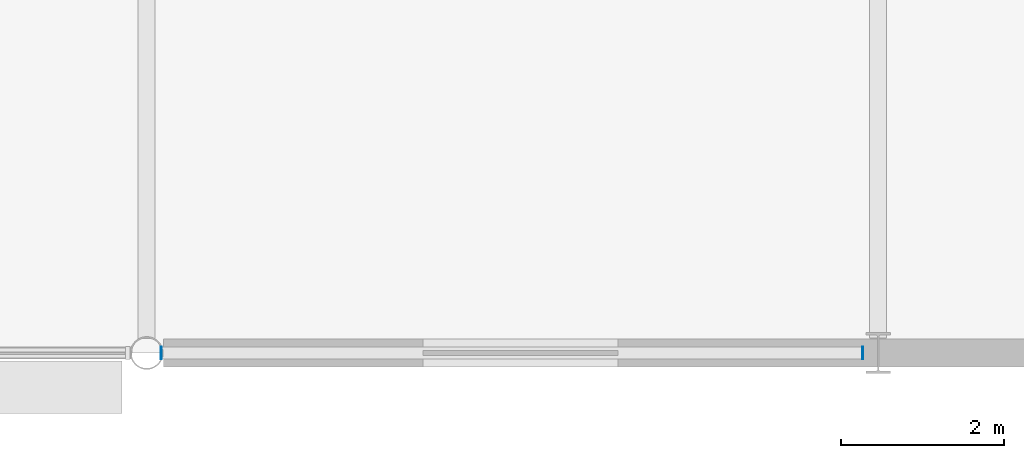
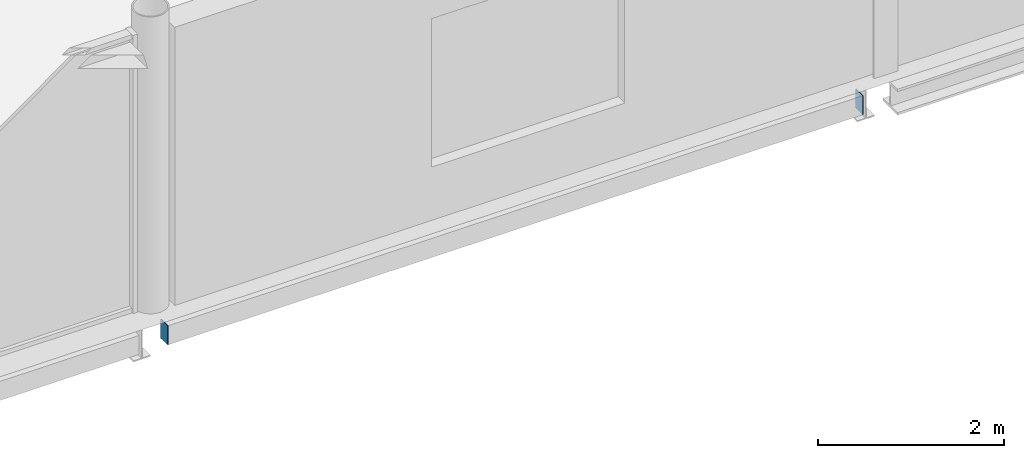
# One storey, part 73 of 96: 2 discrete accessories.
"""IFC4 building model written with IfcOpenShell, lengths in metres."""

from ifc_helpers import new_model, si_unit, direction, frame, origin, place, context, subcontext, project, spatial, polyline, outline, extrude, material, layer, layer_set, type_object, element, save


model = new_model("IFC4")

# Units and contexts
model_context = context("Model", 3, precision=1e-05, world=origin(), true_north=direction((0.0, 1.0)))
body_context = subcontext(model_context, "Body", "Model", "MODEL_VIEW")
ifc_project = project(units=[si_unit("LENGTHUNIT", "METRE"), si_unit("AREAUNIT", "SQUARE_METRE"), si_unit("VOLUMEUNIT", "CUBIC_METRE"), si_unit("PLANEANGLEUNIT", "RADIAN"), si_unit("MASSUNIT", "GRAM", prefix="KILO")], contexts=[model_context])

# Site, building, storey
site_placement = place(None, origin())
site = spatial("IfcSite", under=ifc_project, at=site_placement, CompositionType="ELEMENT")
building_placement = place(site_placement, origin())
building = spatial("IfcBuilding", under=site, at=building_placement, Name="Kisiwana Market Hall", CompositionType="ELEMENT")
storey_placement = place(building_placement, frame((0.0, 0.0, 25.5)))
storey = spatial("IfcBuildingStorey", under=building, at=storey_placement, Name="L05", CompositionType="ELEMENT", Elevation=25.5)

# Discrete accessories
ifc_material = material(Name="Steel S355", Category="steel")
ifc_layer = layer(ifc_material, 0.011962890625)
ifc_layer_set = layer_set([ifc_layer], Name="ACC-ENDCAP-STL")
discrete_accessory_type = type_object("IfcDiscreteAccessoryType", Name="ACC-ENDCAP-STL", PredefinedType="USERDEFINED", material=ifc_layer_set)
discrete_accessory_1_placement = place(storey_placement, frame((0.0, 0.0, -0.56494140625)))
element("IfcDiscreteAccessory", 1, at=discrete_accessory_1_placement, inside=storey, type_object=discrete_accessory_type, Name="End cap plate EC-0070", ObjectType="End cap plate", PredefinedType="USERDEFINED", context=body_context, shape_type="SweptSolid", body=[
    extrude(outline(polyline([(170.806640625, 8.925048828125), (170.818603515625, 8.925048828125), (170.818603515625, 9.074951171875), (170.806640625, 9.074951171875), (170.806640625, 8.925048828125)])), origin(), (0.0, 0.0, 1.0), 0.25),
])
discrete_accessory_2_placement = place(storey_placement, frame((0.0, 0.0, -0.56494140625)))
element("IfcDiscreteAccessory", 2, at=discrete_accessory_2_placement, inside=storey, type_object=discrete_accessory_type, Name="End cap plate EC-0071", ObjectType="End cap plate", PredefinedType="USERDEFINED", context=body_context, shape_type="SweptSolid", body=[
    extrude(outline(polyline([(162.182373046875, 8.925048828125), (162.182373046875, 9.074951171875), (162.17041015625, 9.074951171875), (162.17041015625, 8.925048828125), (162.182373046875, 8.925048828125)])), origin(), (0.0, 0.0, 1.0), 0.25),
])

save(model, "model.ifc")
